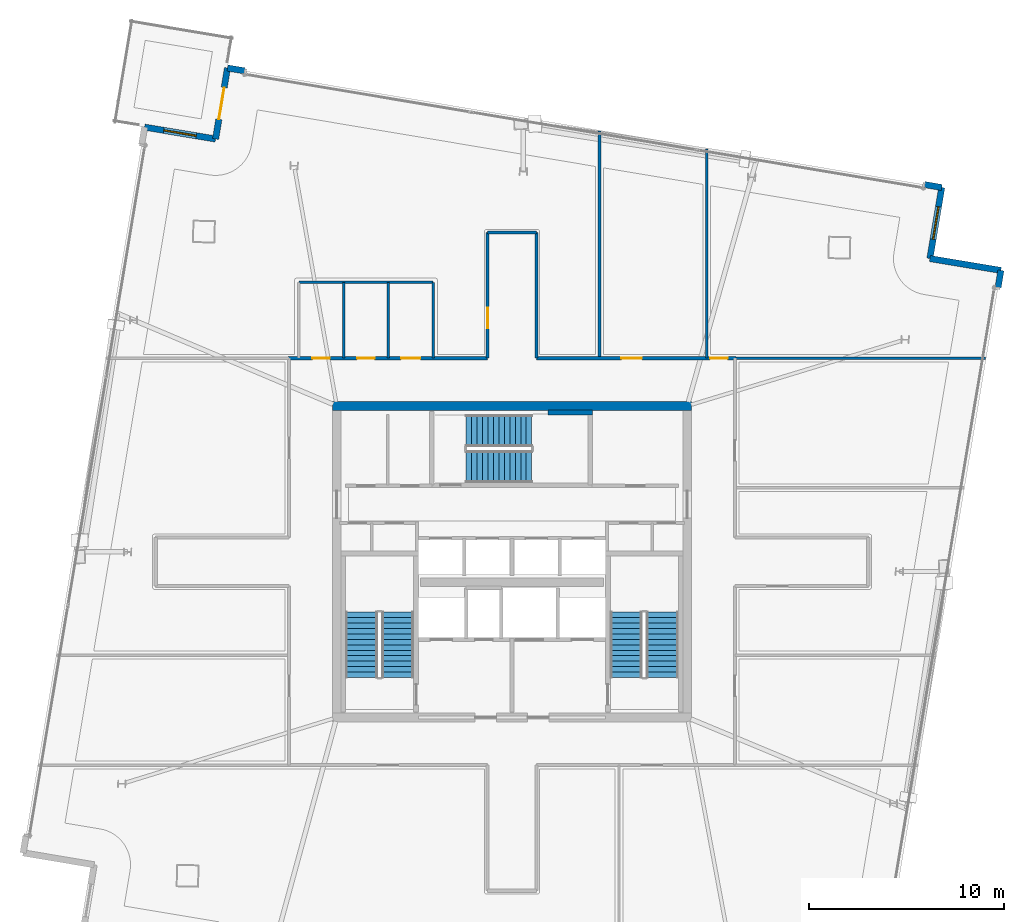
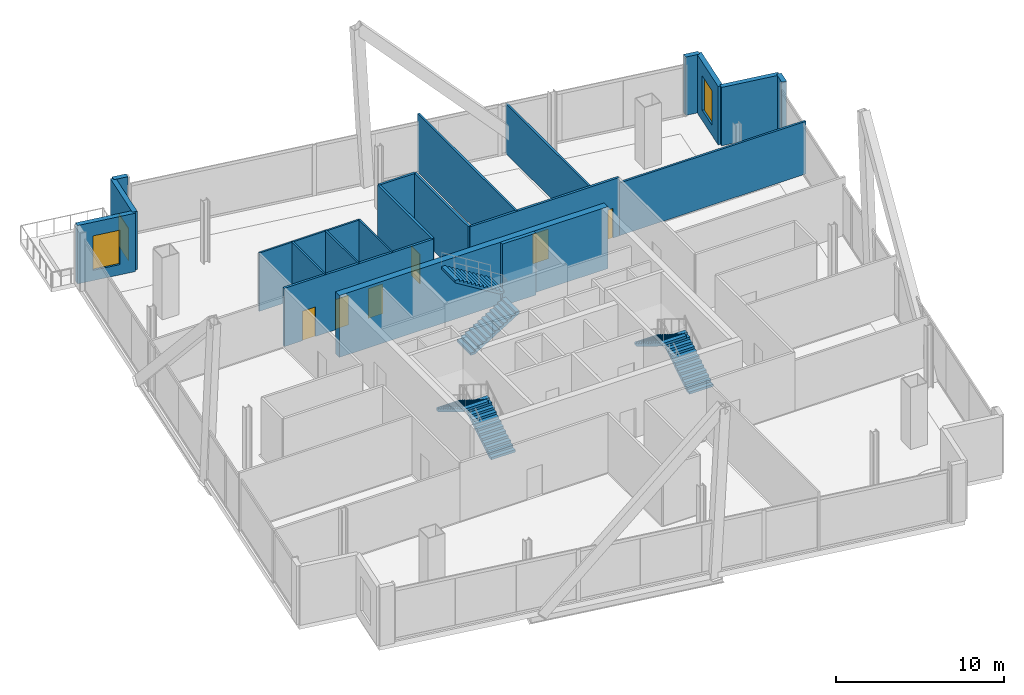
# One storey, part 15 of 18: 21 walls, 7 doors, 6 stair flights, 2 windows, 9 openings, 3 elements without a shape of their own.
"""IFC4 building model written with IfcOpenShell, lengths in metres."""

import ifcopenshell
import ifcopenshell.guid

model = None  # the IFC model being written
_history = None  # IfcOwnerHistory: only IFC2X3 demands one
_inside = {}  # id of a spatial element -> (the spatial element, [elements in it])
_under = {}  # id of a project, library or spatial element -> (it, [spatial elements below it])
_declared = {}  # id of a project -> (the project, [libraries it declares])
_typed = {}  # id of a type object -> (the type object, [elements of that type])
_made_of = {}  # id of a material, layer set ... -> (it, [elements and type objects made of it])


def new_model(schema):
    """Start an empty IFC model of exactly this schema.

    Asked for "IFC4X3", IfcOpenShell would pick the latest addendum, in which some entities
    have other attributes; the version numbers below select the first issue.
    IFC2X3 requires an IfcOwnerHistory on every rooted entity: one is made here for all.
    """
    global model, _history
    if schema == "IFC4X3":
        model = ifcopenshell.file(schema_version=(4, 3, 0, 0))
    else:
        model = ifcopenshell.file(schema=schema)
    _inside.clear()
    _under.clear()
    _declared.clear()
    _typed.clear()
    _made_of.clear()
    _history = None
    if model.schema == "IFC2X3":
        org = make("IfcOrganization", Name="unknown")
        user = make(
            "IfcPersonAndOrganization",
            ThePerson=make("IfcPerson", FamilyName="unknown"),
            TheOrganization=org,
        )
        app = make(
            "IfcApplication",
            ApplicationDeveloper=org,
            Version="unknown",
            ApplicationFullName="unknown",
            ApplicationIdentifier="unknown",
        )
        _history = make(
            "IfcOwnerHistory",
            OwningUser=user,
            OwningApplication=app,
            ChangeAction="ADDED",
            CreationDate=0,
        )
    return model


def make(cls, **values):
    """One entity of the class cls with the attributes given. An attribute that is None is left unset."""
    return model.create_entity(
        cls, **{name: value for name, value in values.items() if value is not None}
    )


def rooted(cls, **values):
    """An entity with a GlobalId (a new one), such as an element, a storey or a relation."""
    return make(cls, GlobalId=ifcopenshell.guid.new(), OwnerHistory=_history, **values)


def si_unit(unit_type, name, prefix=None):
    """IfcSIUnit, for example si_unit("LENGTHUNIT", "METRE", prefix="MILLI")."""
    return make("IfcSIUnit", UnitType=unit_type, Prefix=prefix, Name=name)


def assignment(units):
    """IfcUnitAssignment: the units of a project."""
    return None if units is None else make("IfcUnitAssignment", Units=units)


def point(xyz):
    """IfcCartesianPoint."""
    return None if xyz is None else make("IfcCartesianPoint", Coordinates=xyz)


def direction(xyz):
    """IfcDirection."""
    return None if xyz is None else make("IfcDirection", DirectionRatios=xyz)


def frame(location, z_axis=None, x_axis=None):
    """IfcAxis2Placement3D, a coordinate frame: its origin and axes. An axis left out is left unset."""
    return make(
        "IfcAxis2Placement3D",
        Location=point(location),
        Axis=direction(z_axis),
        RefDirection=direction(x_axis),
    )


def frame_2d(location, x_axis=None):
    """IfcAxis2Placement2D, a coordinate frame in the plane: its origin and x axis."""
    return make(
        "IfcAxis2Placement2D", Location=point(location), RefDirection=direction(x_axis)
    )


def origin():
    """The frame at (0, 0, 0) with its axes left unset."""
    return frame((0.0, 0.0, 0.0))


def place(relative_to, where):
    """IfcLocalPlacement: puts the frame where relative to a parent placement (None: the world)."""
    return make(
        "IfcLocalPlacement", PlacementRelTo=relative_to, RelativePlacement=where
    )


def context(
    kind, dimensions, precision=None, world=None, true_north=None, identifier=None
):
    """IfcGeometricRepresentationContext, for example the 3D "Model" context."""
    return make(
        "IfcGeometricRepresentationContext",
        ContextIdentifier=identifier,
        ContextType=kind,
        CoordinateSpaceDimension=dimensions,
        Precision=precision,
        WorldCoordinateSystem=world,
        TrueNorth=true_north,
    )


def subcontext(parent, identifier, kind, view, scale=None):
    """IfcGeometricRepresentationSubContext, for example "Body" below "Model"."""
    return make(
        "IfcGeometricRepresentationSubContext",
        ContextIdentifier=identifier,
        ContextType=kind,
        ParentContext=parent,
        TargetScale=scale,
        TargetView=view,
    )


def project(units=None, contexts=None):
    """IfcProject with its units and contexts."""
    return rooted(
        "IfcProject",
        Name="project",
        RepresentationContexts=contexts,
        UnitsInContext=assignment(units),
    )


def spatial(cls, under=None, at=None, **own):
    """A site, building, storey or space (cls), placed at a placement, below another one or the project."""
    s = rooted(cls, ObjectPlacement=at, **own)
    if under is not None:
        _under.setdefault(under.id(), (under, []))[1].append(s)
    return s


def polyline(points):
    """IfcPolyline through the points."""
    return make("IfcPolyline", Points=[point(p) for p in points])


def profile(cls, at=None, kind="AREA", **sizes):
    """A parametric profile (cls). Its sizes go by their IFC names, for example OverallWidth=200.0."""
    return make(cls, ProfileType=kind, Position=at, **sizes)


def rectangle(**sizes):
    """IfcRectangleProfileDef."""
    return profile("IfcRectangleProfileDef", **sizes)


def outline(outer, holes=None, kind="AREA"):
    """IfcArbitraryClosedProfileDef: a profile drawn as a closed curve; with holes, ...WithVoids."""
    if holes is None:
        return make("IfcArbitraryClosedProfileDef", ProfileType=kind, OuterCurve=outer)
    return make(
        "IfcArbitraryProfileDefWithVoids",
        ProfileType=kind,
        OuterCurve=outer,
        InnerCurves=holes,
    )


def extrude(swept, where, along, depth):
    """IfcExtrudedAreaSolid: the profile swept, set in the frame where, extruded along a direction by depth."""
    return make(
        "IfcExtrudedAreaSolid",
        SweptArea=swept,
        Position=where,
        ExtrudedDirection=direction(along),
        Depth=depth,
    )


def shape(context_of_items, identifier, shape_type, items):
    """IfcShapeRepresentation: the items that make up one representation, for example the "Body"."""
    return make(
        "IfcShapeRepresentation",
        ContextOfItems=context_of_items,
        RepresentationIdentifier=identifier,
        RepresentationType=shape_type,
        Items=items,
    )


def material(Name=None, Category=None):
    """IfcMaterial."""
    return make("IfcMaterial", Name=Name, Category=Category)


def layer(
    of_material, thickness, ventilated=None, Name=None, Category=None, Priority=None
):
    """IfcMaterialLayer: one layer of a wall or slab, of a material (None: an air gap)."""
    return make(
        "IfcMaterialLayer",
        Material=of_material,
        LayerThickness=thickness,
        IsVentilated=ventilated,
        Name=Name,
        Category=Category,
        Priority=Priority,
    )


def layer_set(layers, Name=None):
    """IfcMaterialLayerSet."""
    return make("IfcMaterialLayerSet", MaterialLayers=layers, LayerSetName=Name)


def made_of(thing, what):
    """Note that an element or type object is made of a material, layer set ...; save() writes the relation."""
    if what is not None:
        _made_of.setdefault(what.id(), (what, []))[1].append(thing)
    return thing


def type_object(cls, material=None, **own):
    """A type object (cls), such as IfcWallType, which elements share."""
    return made_of(rooted(cls, **own), material)


def element(
    cls,
    number,
    at=None,
    inside=None,
    cuts=None,
    type_object=None,
    material=None,
    context=None,
    identifier="Body",
    shape_type=None,
    held_by="IfcProductDefinitionShape",
    body=None,
    shapes=None,
    **own,
):
    """One element of the class cls, such as IfcWall. Its Tag is "e" and its number.

    at: its placement. inside: the storey or other place that contains it. cuts: it is an
    opening in that element (IfcRelVoidsElement). A single representation is given by context,
    identifier, shape_type and body (its items); several are given by shapes. held_by: the class
    of the entity that holds the representations. save() writes the other relations.
    """
    e = rooted(cls, Tag="e%d" % number, ObjectPlacement=at, **own)
    if body is not None:
        shapes = [shape(context, identifier, shape_type, body)]
    if shapes is not None:
        e.Representation = make(held_by, Representations=shapes)
    if inside is not None:
        _inside.setdefault(inside.id(), (inside, []))[1].append(e)
    if cuts is not None:
        rooted(
            "IfcRelVoidsElement", RelatingBuildingElement=cuts, RelatedOpeningElement=e
        )
    if type_object is not None:
        _typed.setdefault(type_object.id(), (type_object, []))[1].append(e)
    return made_of(e, material)


def fill(opening, filler):
    """IfcRelFillsElement: the door or window that sits in an opening."""
    return rooted(
        "IfcRelFillsElement",
        RelatingOpeningElement=opening,
        RelatedBuildingElement=filler,
    )


def aggregate(whole, parts):
    """IfcRelAggregates: a whole, such as a stair, and the parts it consists of."""
    return rooted("IfcRelAggregates", RelatingObject=whole, RelatedObjects=parts)


def save(model, path):
    """Write the relations noted so far, then the file.

    IfcRelAggregates (storeys below a building ...), IfcRelContainedInSpatialStructure (elements
    in a storey), IfcRelDefinesByType, IfcRelAssociatesMaterial and IfcRelDeclares: one each for
    every whole, place, type object, material and project.
    """
    for whole, parts in _under.values():
        aggregate(whole, parts)
    for where, things in _inside.values():
        rooted(
            "IfcRelContainedInSpatialStructure",
            RelatedElements=things,
            RelatingStructure=where,
        )
    for kind, things in _typed.values():
        rooted("IfcRelDefinesByType", RelatedObjects=things, RelatingType=kind)
    for what, things in _made_of.values():
        rooted("IfcRelAssociatesMaterial", RelatedObjects=things, RelatingMaterial=what)
    for by, libraries in _declared.values():
        rooted("IfcRelDeclares", RelatingContext=by, RelatedDefinitions=libraries)
    model.write(path)


model = new_model("IFC4")

# Units and contexts
model_context = context("Model", 3, precision=1e-05, world=origin(), true_north=direction((0.0, 1.0)))
body_context = subcontext(model_context, "Body", "Model", "MODEL_VIEW")
ifc_project = project(units=[si_unit("LENGTHUNIT", "METRE"), si_unit("AREAUNIT", "SQUARE_METRE"), si_unit("VOLUMEUNIT", "CUBIC_METRE"), si_unit("PLANEANGLEUNIT", "RADIAN"), si_unit("MASSUNIT", "GRAM", prefix="KILO")], contexts=[model_context])

# Site, building, storey
site_placement = place(None, origin())
site = spatial("IfcSite", under=ifc_project, at=site_placement, CompositionType="ELEMENT")
building_placement = place(site_placement, origin())
building = spatial("IfcBuilding", under=site, at=building_placement, Name="Haldenkirk Collegiate Tower", CompositionType="ELEMENT")
storey_placement = place(building_placement, frame((0.0, 0.0, 298.199951171875)))
storey = spatial("IfcBuildingStorey", under=building, at=storey_placement, Name="L75", CompositionType="ELEMENT", Elevation=298.199951171875)

# Walls
ifc_material_1 = material(Name="Concrete f'c 55 MPa", Category="concrete")
ifc_layer_1 = layer(ifc_material_1, 0.449951171875)
ifc_layer_set_1 = layer_set([ifc_layer_1], Name="Concrete f'c 55 MPa")
wall_type_1 = type_object("IfcWallType", Name="WL-CORE-450", PredefinedType="SHEAR", material=ifc_layer_set_1)
wall_1_placement = place(storey_placement, frame((26.77490234375, 34.0, 0.0), z_axis=(0.0, 0.0, 1.0), x_axis=(1.0, 0.0, 0.0)))
element("IfcWall", 1, at=wall_1_placement, inside=storey, type_object=wall_type_1, Name="L75 central core shear wall N", PredefinedType="SHEAR", context=body_context, shape_type="SweptSolid", body=[
    extrude(rectangle(XDim=18.4501953125, YDim=0.449951171875, at=frame_2d((9.22509765625, 0.0))), origin(), (0.0, 0.0, 1.0), 4.5),
])
ifc_material_2 = material(Name="Precast concrete f'c 40 MPa", Category="concrete")
ifc_layer_2 = layer(ifc_material_2, 0.320068359375)
ifc_layer_set_2 = layer_set([ifc_layer_2], Name="Precast concrete f'c 40 MPa")
wall_type_2 = type_object("IfcWallType", Name="WL-EXT-TWR-320", PredefinedType="STANDARD", material=ifc_layer_set_2)
wall_2_placement = place(storey_placement, frame((61.113525390625, 40.960205078125, 0.0), z_axis=(0.0, 0.0, 1.0), x_axis=(-0.164926823442, -0.98630580598, 0.0)))
element("IfcWall", 2, at=wall_2_placement, inside=storey, type_object=wall_type_2, Name="L75 precast corner pier SL", PredefinedType="STANDARD", context=body_context, shape_type="SweptSolid", body=[
    extrude(rectangle(XDim=0.89990234375, YDim=0.320068359375, at=frame_2d((0.449951171875, 0.0))), origin(), (0.0, 0.0, 1.0), 4.239990234375),
])
wall_3_placement = place(storey_placement, frame((57.46435546875, 41.57080078125, 0.0), z_axis=(0.0, 0.0, 1.0), x_axis=(0.986288501332, -0.165030276432, 0.0)))
element("IfcWall", 3, at=wall_3_placement, inside=storey, type_object=wall_type_2, Name="L75 bronze precast notch wall 02", PredefinedType="STANDARD", context=body_context, shape_type="SweptSolid", body=[
    extrude(rectangle(XDim=3.699951171875, YDim=0.320068359375, at=frame_2d((1.85009765625, 0.0))), origin(), (0.0, 0.0, 1.0), 4.239990234375),
])

# Wall, opening, window
wall_4_placement = place(storey_placement, frame((58.074951171875, 45.22021484375, 0.0), z_axis=(0.0, 0.0, 1.0), x_axis=(-0.165019536794, -0.986290298278, 0.0)))
wall_4 = element("IfcWall", 4, at=wall_4_placement, inside=storey, type_object=wall_type_2, Name="L75 bronze precast notch wall 03", PredefinedType="STANDARD", context=body_context, shape_type="SweptSolid", body=[
    extrude(rectangle(XDim=3.7001953125, YDim=0.320068359375, at=frame_2d((1.85009765625, 0.0))), origin(), (0.0, 0.0, 1.0), 4.239990234375),
])
opening_1_placement = place(wall_4_placement, frame((1.0, 0.0, 0.75)))
opening_1 = element("IfcOpeningElement", 5, at=opening_1_placement, cuts=wall_4, Name="Opening W-09", PredefinedType="OPENING", context=body_context, shape_type="SweptSolid", body=[
    extrude(rectangle(XDim=1.699951171875, YDim=2.5, at=frame_2d((0.85009765625, 1.25))), frame((0.0, 0.169921875, 0.0), z_axis=(0.0, -1.0, 0.0), x_axis=(1.0, 0.0, 0.0)), (0.0, 0.0, 1.0), 0.340087890625),
])
ifc_material_3 = material(Name="Low-E argon triple insulating glass", Category="glass")
ifc_layer_3 = layer(ifc_material_3, 0.090087890625)
ifc_layer_set_3 = layer_set([ifc_layer_3], Name="Low-E argon triple insulating glass")
window_type = type_object("IfcWindowType", Name="WN-SG-1700X2500", PartitioningType="SINGLE_PANEL", PredefinedType="WINDOW", material=ifc_layer_set_3)
window_1_placement = place(opening_1_placement, origin())
window_1 = element("IfcWindow", 6, at=window_1_placement, inside=storey, type_object=window_type, Name="L75 precast-frame academic window 2", OverallHeight=2.5, OverallWidth=1.699951171875, PartitioningType="SINGLE_PANEL", PredefinedType="WINDOW", context=body_context, shape_type="SweptSolid", body=[
    extrude(rectangle(XDim=1.699951171875, YDim=2.5, at=frame_2d((0.85009765625, 1.25))), frame((0.0, 0.030029296875, 0.0), z_axis=(0.0, -1.0, 0.0), x_axis=(1.0, 0.0, 0.0)), (0.0, 0.0, 1.0), 0.06005859375),
])
fill(opening_1, window_1)

# Walls
for number, where, z_axis, x_axis, name in (
    (7, (21.38525390625, 51.35986328125, 0.0), (0.0, 0.0, 1.0), (0.98630580598, -0.164926823442, 0.0), "L75 precast corner pier EL"),
    (8, (57.187255859375, 45.36865234375, 0.0), (0.0, 0.0, 1.0), (0.98630580598, -0.164926823442, 0.0), "L75 precast corner pier ER"),
):
    element("IfcWall", number, at=place(storey_placement, frame(where, z_axis=z_axis, x_axis=x_axis)), inside=storey, type_object=wall_type_2, Name=name, PredefinedType="STANDARD", context=body_context, shape_type="SweptSolid", body=[
        extrude(rectangle(XDim=0.89990234375, YDim=0.320068359375, at=frame_2d((0.449951171875, 0.0))), origin(), (0.0, 0.0, 1.0), 4.239990234375),
    ])

# Wall, opening, door
wall_5_placement = place(storey_placement, frame((20.7744140625, 47.710693359375, 0.0), z_axis=(0.0, 0.0, 1.0), x_axis=(0.165094463979, 0.986277759033, 0.0)))
wall_5 = element("IfcWall", 9, at=wall_5_placement, inside=storey, type_object=wall_type_2, Name="L75 bronze precast notch wall 05", PredefinedType="STANDARD", context=body_context, shape_type="SweptSolid", body=[
    extrude(rectangle(XDim=3.699951171875, YDim=0.320068359375, at=frame_2d((1.85009765625, 0.0))), origin(), (0.0, 0.0, 1.0), 4.239990234375),
])
opening_2_placement = place(wall_5_placement, frame((1.02490234375, 0.0, 0.0)))
opening_2 = element("IfcOpeningElement", 10, at=opening_2_placement, cuts=wall_5, Name="Opening D-SG16", PredefinedType="OPENING", context=body_context, shape_type="SweptSolid", body=[
    extrude(rectangle(XDim=1.64990234375, YDim=2.35009765625, at=frame_2d((0.824951171875, 1.175048828125))), frame((0.0, 0.169921875, 0.0), z_axis=(0.0, -1.0, 0.0), x_axis=(1.0, 0.0, 0.0)), (0.0, 0.0, 1.0), 0.340087890625),
])
ifc_material_4 = material(Name="Anodised architectural bronze aluminium", Category="aluminium")
ifc_layer_4 = layer(ifc_material_4, 0.080078125)
ifc_layer_set_4 = layer_set([ifc_layer_4], Name="Anodised architectural bronze aluminium")
door_type_1 = type_object("IfcDoorType", Name="DR-EXT-SGAR-1650", OperationType="NOTDEFINED", PredefinedType="DOOR", material=ifc_layer_set_4)
door_1_placement = place(opening_2_placement, origin())
door_1 = element("IfcDoor", 11, at=door_1_placement, inside=storey, type_object=door_type_1, Name="L75 sky-garden door", OperationType="DOUBLE_DOOR_SINGLE_SWING", OverallHeight=2.35009765625, OverallWidth=1.64990234375, PredefinedType="DOOR", context=body_context, shape_type="SweptSolid", body=[
    extrude(rectangle(XDim=1.64990234375, YDim=2.35009765625, at=frame_2d((0.824951171875, 1.175048828125))), frame((0.0, 0.02490234375, 0.0), z_axis=(0.0, -1.0, 0.0), x_axis=(1.0, 0.0, 0.0)), (0.0, 0.0, 1.0), 0.050048828125),
])
fill(opening_2, door_1)

# Wall, opening, window
wall_6_placement = place(storey_placement, frame((17.125244140625, 48.3212890625, 0.0), z_axis=(0.0, 0.0, 1.0), x_axis=(0.986288501332, -0.165030276432, 0.0)))
wall_6 = element("IfcWall", 12, at=wall_6_placement, inside=storey, type_object=wall_type_2, Name="L75 bronze precast notch wall 06", PredefinedType="STANDARD", context=body_context, shape_type="SweptSolid", body=[
    extrude(rectangle(XDim=3.699951171875, YDim=0.320068359375, at=frame_2d((1.85009765625, 0.0))), origin(), (0.0, 0.0, 1.0), 4.239990234375),
])
opening_3_placement = place(wall_6_placement, frame((1.0, 0.0, 0.75)))
opening_3 = element("IfcOpeningElement", 13, at=opening_3_placement, cuts=wall_6, Name="Opening W-09", PredefinedType="OPENING", context=body_context, shape_type="SweptSolid", body=[
    extrude(rectangle(XDim=1.699951171875, YDim=2.5, at=frame_2d((0.85009765625, 1.25))), frame((0.0, 0.169921875, 0.0), z_axis=(0.0, -1.0, 0.0), x_axis=(1.0, 0.0, 0.0)), (0.0, 0.0, 1.0), 0.340087890625),
])
window_2_placement = place(opening_3_placement, origin())
window_2 = element("IfcWindow", 14, at=window_2_placement, inside=storey, type_object=window_type, Name="L75 precast-frame academic window 5", OverallHeight=2.5, OverallWidth=1.699951171875, PartitioningType="SINGLE_PANEL", PredefinedType="WINDOW", context=body_context, shape_type="SweptSolid", body=[
    extrude(rectangle(XDim=1.699951171875, YDim=2.5, at=frame_2d((0.85009765625, 1.25))), frame((0.0, 0.030029296875, 0.0), z_axis=(0.0, -1.0, 0.0), x_axis=(1.0, 0.0, 0.0)), (0.0, 0.0, 1.0), 0.06005859375),
])
fill(opening_3, window_2)

# Wall, openings, doors
ifc_material_5 = material(Name="Acoustic fire-rated gypsum partition", Category="concrete")
ifc_layer_5 = layer(ifc_material_5, 0.159912109375)
ifc_layer_set_5 = layer_set([ifc_layer_5], Name="Acoustic fire-rated gypsum partition")
wall_type_3 = type_object("IfcWallType", Name="WL-INT-CORR-160", PredefinedType="PARTITIONING", material=ifc_layer_set_5)
wall_7_placement = place(storey_placement, frame((24.5, 36.449951171875, 0.0), z_axis=(0.0, 0.0, 1.0), x_axis=(1.0, 0.0, 0.0)))
wall_7 = element("IfcWall", 15, at=wall_7_placement, inside=storey, type_object=wall_type_3, Name="L75 interior partition IW-L75-CN1", PredefinedType="PARTITIONING", context=body_context, shape_type="SweptSolid", body=[
    extrude(rectangle(XDim=10.25, YDim=0.159912109375, at=frame_2d((5.125, 0.0))), origin(), (0.0, 0.0, 1.0), 4.239990234375),
])
opening_4_placement = place(wall_7_placement, frame((1.25, 0.0, 0.0)))
opening_4 = element("IfcOpeningElement", 16, at=opening_4_placement, cuts=wall_7, Name="Opening D-13", PredefinedType="OPENING", context=body_context, shape_type="SweptSolid", body=[
    extrude(rectangle(XDim=0.89990234375, YDim=2.14990234375, at=frame_2d((0.449951171875, 1.074951171875))), frame((0.0, 0.08984375, 0.0), z_axis=(0.0, -1.0, 0.0), x_axis=(1.0, 0.0, 0.0)), (0.0, 0.0, 1.0), 0.179931640625),
])
opening_5_placement = place(wall_7_placement, frame((3.550048828125, 0.0, 0.0)))
opening_5 = element("IfcOpeningElement", 17, at=opening_5_placement, cuts=wall_7, Name="Opening D-13", PredefinedType="OPENING", context=body_context, shape_type="SweptSolid", body=[
    extrude(rectangle(XDim=0.89990234375, YDim=2.14990234375, at=frame_2d((0.449951171875, 1.074951171875))), frame((0.0, 0.08984375, 0.0), z_axis=(0.0, -1.0, 0.0), x_axis=(1.0, 0.0, 0.0)), (0.0, 0.0, 1.0), 0.179931640625),
])
opening_6_placement = place(wall_7_placement, frame((5.800048828125, 0.0, 0.0)))
opening_6 = element("IfcOpeningElement", 18, at=opening_6_placement, cuts=wall_7, Name="Opening D-14", PredefinedType="OPENING", context=body_context, shape_type="SweptSolid", body=[
    extrude(rectangle(XDim=1.0, YDim=2.14990234375, at=frame_2d((0.5, 1.074951171875))), frame((0.0, 0.08984375, 0.0), z_axis=(0.0, -1.0, 0.0), x_axis=(1.0, 0.0, 0.0)), (0.0, 0.0, 1.0), 0.179931640625),
])
ifc_material_6 = material(Name="Solid-core architectural oak fire door", Category="wood")
ifc_layer_6 = layer(ifc_material_6, 0.06005859375)
ifc_layer_set_6 = layer_set([ifc_layer_6], Name="Solid-core architectural oak fire door")
door_type_2 = type_object("IfcDoorType", Name="DR-INT-ACC-1000", OperationType="NOTDEFINED", PredefinedType="DOOR", material=ifc_layer_set_6)
door_2_placement = place(opening_6_placement, origin())
door_2 = element("IfcDoor", 19, at=door_2_placement, inside=storey, type_object=door_type_2, Name="L75 Accessible WC door", OperationType="SINGLE_SWING_LEFT", OverallHeight=2.14990234375, OverallWidth=1.0, PredefinedType="DOOR", context=body_context, shape_type="SweptSolid", body=[
    extrude(rectangle(XDim=1.0, YDim=2.14990234375, at=frame_2d((0.5, 1.074951171875))), frame((0.0, 0.02490234375, 0.0), z_axis=(0.0, -1.0, 0.0), x_axis=(1.0, 0.0, 0.0)), (0.0, 0.0, 1.0), 0.050048828125),
])
fill(opening_6, door_2)
ifc_layer_7 = layer(ifc_material_6, 0.06005859375)
ifc_layer_set_7 = layer_set([ifc_layer_7], Name="Solid-core architectural oak fire door")
door_type_3 = type_object("IfcDoorType", Name="DR-INT-STD-900", OperationType="NOTDEFINED", PredefinedType="DOOR", material=ifc_layer_set_7)
door_3_placement = place(opening_4_placement, origin())
door_3 = element("IfcDoor", 20, at=door_3_placement, inside=storey, type_object=door_type_3, Name="L75 Male WC door", OperationType="SINGLE_SWING_LEFT", OverallHeight=2.14990234375, OverallWidth=0.89990234375, PredefinedType="DOOR", context=body_context, shape_type="SweptSolid", body=[
    extrude(rectangle(XDim=0.89990234375, YDim=2.14990234375, at=frame_2d((0.449951171875, 1.074951171875))), frame((0.0, 0.02490234375, 0.0), z_axis=(0.0, -1.0, 0.0), x_axis=(1.0, 0.0, 0.0)), (0.0, 0.0, 1.0), 0.050048828125),
])
fill(opening_4, door_3)
door_4_placement = place(opening_5_placement, origin())
door_4 = element("IfcDoor", 21, at=door_4_placement, inside=storey, type_object=door_type_3, Name="L75 Female WC door", OperationType="SINGLE_SWING_RIGHT", OverallHeight=2.14990234375, OverallWidth=0.89990234375, PredefinedType="DOOR", context=body_context, shape_type="SweptSolid", body=[
    extrude(rectangle(XDim=0.89990234375, YDim=2.14990234375, at=frame_2d((0.449951171875, 1.074951171875))), frame((0.0, 0.02490234375, 0.0), z_axis=(0.0, -1.0, 0.0), x_axis=(1.0, 0.0, 0.0)), (0.0, 0.0, 1.0), 0.050048828125),
])
fill(opening_5, door_4)

wall_8_placement = place(storey_placement, frame((37.25, 36.449951171875, 0.0), z_axis=(0.0, 0.0, 1.0), x_axis=(1.0, 0.0, 0.0)))
wall_8 = element("IfcWall", 22, at=wall_8_placement, inside=storey, type_object=wall_type_3, Name="L75 interior partition IW-L75-CN2", PredefinedType="PARTITIONING", context=body_context, shape_type="SweptSolid", body=[
    extrude(rectangle(XDim=10.25, YDim=0.159912109375, at=frame_2d((5.125, 0.0))), origin(), (0.0, 0.0, 1.0), 4.239990234375),
])
opening_7_placement = place(wall_8_placement, frame((4.364990234375, 0.0, 0.0)))
opening_7 = element("IfcOpeningElement", 23, at=opening_7_placement, cuts=wall_8, Name="Opening D-09", PredefinedType="OPENING", context=body_context, shape_type="SweptSolid", body=[
    extrude(rectangle(XDim=1.050048828125, YDim=2.14990234375, at=frame_2d((0.52490234375, 1.074951171875))), frame((0.0, 0.08984375, 0.0), z_axis=(0.0, -1.0, 0.0), x_axis=(1.0, 0.0, 0.0)), (0.0, 0.0, 1.0), 0.179931640625),
])
opening_8_placement = place(wall_8_placement, frame((8.925048828125, 0.0, 0.0)))
opening_8 = element("IfcOpeningElement", 24, at=opening_8_placement, cuts=wall_8, Name="Opening D-11", PredefinedType="OPENING", context=body_context, shape_type="SweptSolid", body=[
    extrude(rectangle(XDim=0.89990234375, YDim=2.14990234375, at=frame_2d((0.449951171875, 1.074951171875))), frame((0.0, 0.08984375, 0.0), z_axis=(0.0, -1.0, 0.0), x_axis=(1.0, 0.0, 0.0)), (0.0, 0.0, 1.0), 0.179931640625),
])
ifc_layer_8 = layer(ifc_material_6, 0.06005859375)
ifc_layer_set_8 = layer_set([ifc_layer_8], Name="Solid-core architectural oak fire door")
door_type_4 = type_object("IfcDoorType", Name="DR-INT-FD60-1050", OperationType="NOTDEFINED", PredefinedType="DOOR", material=ifc_layer_set_8)
door_5_placement = place(opening_7_placement, origin())
door_5 = element("IfcDoor", 25, at=door_5_placement, inside=storey, type_object=door_type_4, Name="L75 Architectural Crit Studio 4 door", OperationType="SINGLE_SWING_LEFT", OverallHeight=2.14990234375, OverallWidth=1.050048828125, PredefinedType="DOOR", context=body_context, shape_type="SweptSolid", body=[
    extrude(rectangle(XDim=1.050048828125, YDim=2.14990234375, at=frame_2d((0.52490234375, 1.074951171875))), frame((0.0, 0.02490234375, 0.0), z_axis=(0.0, -1.0, 0.0), x_axis=(1.0, 0.0, 0.0)), (0.0, 0.0, 1.0), 0.050048828125),
])
fill(opening_7, door_5)
ifc_layer_9 = layer(ifc_material_6, 0.06005859375)
ifc_layer_set_9 = layer_set([ifc_layer_9], Name="Solid-core architectural oak fire door")
door_type_5 = type_object("IfcDoorType", Name="DR-INT-FD60-900", OperationType="NOTDEFINED", PredefinedType="DOOR", material=ifc_layer_set_9)
door_6_placement = place(opening_8_placement, origin())
door_6 = element("IfcDoor", 26, at=door_6_placement, inside=storey, type_object=door_type_5, Name="L75 Urbanism Pin-Up Studio 5 door", OperationType="SINGLE_SWING_RIGHT", OverallHeight=2.14990234375, OverallWidth=0.89990234375, PredefinedType="DOOR", context=body_context, shape_type="SweptSolid", body=[
    extrude(rectangle(XDim=0.89990234375, YDim=2.14990234375, at=frame_2d((0.449951171875, 1.074951171875))), frame((0.0, 0.02490234375, 0.0), z_axis=(0.0, -1.0, 0.0), x_axis=(1.0, 0.0, 0.0)), (0.0, 0.0, 1.0), 0.050048828125),
])
fill(opening_8, door_6)

# Wall, opening, door
wall_9_placement = place(storey_placement, frame((34.75, 36.449951171875, 0.0), z_axis=(0.0, 0.0, 1.0), x_axis=(0.0, 1.0, 0.0)))
wall_9 = element("IfcWall", 27, at=wall_9_placement, inside=storey, type_object=wall_type_3, Name="L75 interior partition IW-L75-NPW", PredefinedType="PARTITIONING", context=body_context, shape_type="SweptSolid", body=[
    extrude(rectangle(XDim=6.449951171875, YDim=0.159912109375, at=frame_2d((3.22509765625, 0.0))), origin(), (0.0, 0.0, 1.0), 4.239990234375),
])
opening_9_placement = place(wall_9_placement, frame((1.5390625, 0.0, 0.0)))
opening_9 = element("IfcOpeningElement", 28, at=opening_9_placement, cuts=wall_9, Name="Opening D-09", PredefinedType="OPENING", context=body_context, shape_type="SweptSolid", body=[
    extrude(rectangle(XDim=1.050048828125, YDim=2.14990234375, at=frame_2d((0.52490234375, 1.074951171875))), frame((0.0, 0.08984375, 0.0), z_axis=(0.0, -1.0, 0.0), x_axis=(1.0, 0.0, 0.0)), (0.0, 0.0, 1.0), 0.179931640625),
])
door_7_placement = place(opening_9_placement, origin())
door_7 = element("IfcDoor", 29, at=door_7_placement, inside=storey, type_object=door_type_4, Name="L75 Collegiate Supply Shop 3 door", OperationType="SINGLE_SWING_RIGHT", OverallHeight=2.14990234375, OverallWidth=1.050048828125, PredefinedType="DOOR", context=body_context, shape_type="SweptSolid", body=[
    extrude(rectangle(XDim=1.050048828125, YDim=2.14990234375, at=frame_2d((0.52490234375, 1.074951171875))), frame((0.0, 0.02490234375, 0.0), z_axis=(0.0, -1.0, 0.0), x_axis=(1.0, 0.0, 0.0)), (0.0, 0.0, 1.0), 0.050048828125),
])
fill(opening_9, door_7)

# Walls
wall_10_placement = place(storey_placement, frame((37.25, 36.449951171875, 0.0), z_axis=(0.0, 0.0, 1.0), x_axis=(0.0, 1.0, 0.0)))
element("IfcWall", 30, at=wall_10_placement, inside=storey, type_object=wall_type_3, Name="L75 interior partition IW-L75-NPE", PredefinedType="PARTITIONING", context=body_context, shape_type="SweptSolid", body=[
    extrude(rectangle(XDim=6.449951171875, YDim=0.159912109375, at=frame_2d((3.22509765625, 0.0))), origin(), (0.0, 0.0, 1.0), 4.239990234375),
])
wall_11_placement = place(storey_placement, frame((34.75, 42.89990234375, 0.0), z_axis=(0.0, 0.0, 1.0), x_axis=(1.0, 0.0, 0.0)))
element("IfcWall", 31, at=wall_11_placement, inside=storey, type_object=wall_type_3, Name="L75 interior partition IW-L75-NPN", PredefinedType="PARTITIONING", context=body_context, shape_type="SweptSolid", body=[
    extrude(rectangle(XDim=2.5, YDim=0.159912109375, at=frame_2d((1.25, 0.0))), origin(), (0.0, 0.0, 1.0), 4.239990234375),
])
ifc_layer_10 = layer(ifc_material_5, 0.139892578125)
ifc_layer_set_10 = layer_set([ifc_layer_10], Name="Acoustic fire-rated gypsum partition")
wall_type_4 = type_object("IfcWallType", Name="WL-INT-DIV-140", PredefinedType="PARTITIONING", material=ifc_layer_set_10)
wall_12_placement = place(storey_placement, frame((47.449951171875, 36.449951171875, 0.0), z_axis=(0.0, 0.0, 1.0), x_axis=(1.0, 0.0, 0.0)))
element("IfcWall", 32, at=wall_12_placement, inside=storey, type_object=wall_type_4, Name="L75 interior partition IW-L75-BEN", PredefinedType="PARTITIONING", context=body_context, shape_type="SweptSolid", body=[
    extrude(rectangle(XDim=12.868408203125, YDim=0.139892578125, at=frame_2d((6.43408203125, 0.0))), origin(), (0.0, 0.0, 1.0), 3.8291015625),
])
wall_13_placement = place(storey_placement, frame((40.5, 36.449951171875, 0.0), z_axis=(0.0, 0.0, 1.0), x_axis=(0.0, 1.0, 0.0)))
element("IfcWall", 33, at=wall_13_placement, inside=storey, type_object=wall_type_4, Name="L75 interior partition IW-L75-RN1", PredefinedType="PARTITIONING", context=body_context, shape_type="SweptSolid", body=[
    extrude(rectangle(XDim=11.670654296875, YDim=0.139892578125, at=frame_2d((5.83544921875, 0.0))), origin(), (0.0, 0.0, 1.0), 4.239990234375),
])
wall_14_placement = place(storey_placement, frame((46.0, 36.449951171875, 0.0), z_axis=(0.0, 0.0, 1.0), x_axis=(0.0, 1.0, 0.0)))
element("IfcWall", 34, at=wall_14_placement, inside=storey, type_object=wall_type_4, Name="L75 interior partition IW-L75-RN2", PredefinedType="PARTITIONING", context=body_context, shape_type="SweptSolid", body=[
    extrude(rectangle(XDim=10.750244140625, YDim=0.139892578125, at=frame_2d((5.375, 0.0))), origin(), (0.0, 0.0, 1.0), 3.6181640625),
])
ifc_layer_11 = layer(ifc_material_5, 0.1201171875)
ifc_layer_set_11 = layer_set([ifc_layer_11], Name="Acoustic fire-rated gypsum partition")
wall_type_5 = type_object("IfcWallType", Name="WL-INT-WET-120", PredefinedType="PARTITIONING", material=ifc_layer_set_11)
for number, where, z_axis, x_axis, name in (
    (35, (27.35009765625, 36.449951171875, 0.0), (0.0, 0.0, 1.0), (0.0, 1.0, 0.0), "L75 interior partition IW-L75-WC1"),
    (36, (29.64990234375, 36.449951171875, 0.0), (0.0, 0.0, 1.0), (0.0, 1.0, 0.0), "L75 interior partition IW-L75-WC2"),
    (37, (31.949951171875, 36.449951171875, 0.0), (0.0, 0.0, 1.0), (0.0, 1.0, 0.0), "L75 interior partition IW-L75-WCE"),
):
    element("IfcWall", number, at=place(storey_placement, frame(where, z_axis=z_axis, x_axis=x_axis)), inside=storey, type_object=wall_type_5, Name=name, PredefinedType="PARTITIONING", context=body_context, shape_type="SweptSolid", body=[
        extrude(rectangle(XDim=3.900146484375, YDim=0.1201171875, at=frame_2d((1.9501953125, 0.0))), origin(), (0.0, 0.0, 1.0), 4.239990234375),
    ])
wall_15_placement = place(storey_placement, frame((25.050048828125, 40.35009765625, 0.0), z_axis=(0.0, 0.0, 1.0), x_axis=(1.0, 0.0, 0.0)))
element("IfcWall", 38, at=wall_15_placement, inside=storey, type_object=wall_type_5, Name="L75 interior partition IW-L75-WCB", PredefinedType="PARTITIONING", context=body_context, shape_type="SweptSolid", body=[
    extrude(rectangle(XDim=6.89990234375, YDim=0.1201171875, at=frame_2d((3.449951171875, 0.0))), origin(), (0.0, 0.0, 1.0), 4.239990234375),
])
ifc_layer_12 = layer(ifc_material_1, 0.239990234375)
ifc_layer_set_12 = layer_set([ifc_layer_12], Name="Concrete f'c 55 MPa")
wall_type_6 = type_object("IfcWallType", Name="WL-SHAFT-240", PredefinedType="SHEAR", material=ifc_layer_set_12)
wall_16_placement = place(storey_placement, frame((37.85009765625, 33.659912109375, 0.0), z_axis=(0.0, 0.0, 1.0), x_axis=(1.0, 0.0, 0.0)))
element("IfcWall", 39, at=wall_16_placement, inside=storey, type_object=wall_type_6, Name="L75 stair shaft shear wall SW-L75-ST3N", PredefinedType="SHEAR", context=body_context, shape_type="SweptSolid", body=[
    extrude(rectangle(XDim=2.289794921875, YDim=0.239990234375, at=frame_2d((1.14501953125, 0.0))), origin(), (0.0, 0.0, 1.0), 4.5),
])

# Stair, stair flights
ifc_material_7 = material(Name="Concrete f'c 40 MPa", Category="concrete")
stair_type = type_object("IfcStairType", Name="STR-DOGLEG-1650", PredefinedType="HALF_TURN_STAIR", material=ifc_material_7)
stair_1_placement = place(storey_placement, origin())
stair_1 = element("IfcStair", 40, at=stair_1_placement, inside=storey, type_object=stair_type, Name="L75 Core Exit Stair ST-1", PredefinedType="HALF_TURN_STAIR")
stair_flight_type = type_object("IfcStairFlightType", Name="STF-FLIGHT-1650", PredefinedType="STRAIGHT", material=ifc_material_7)
stair_flight_1_placement = place(storey_placement, frame((30.125, 20.050048828125, 0.0), z_axis=(0.0, 0.0, 1.0), x_axis=(0.0, 1.0, 0.0)))
stair_flight_1 = element("IfcStairFlight", 41, at=stair_flight_1_placement, type_object=stair_flight_type, Name="ST-1 flight 1", NumberOfRisers=13, NumberOfTreads=12, PredefinedType="STRAIGHT", RiserHeight=0.173076923, TreadLength=0.28, context=body_context, shape_type="SweptSolid", body=[
    extrude(outline(polyline([(0.0, 0.0), (0.0, 0.173095703125), (0.280029296875, 0.173095703125), (0.280029296875, 0.34619140625), (0.56005859375, 0.34619140625), (0.56005859375, 0.519287109375), (0.840087890625, 0.519287109375), (0.840087890625, 0.6923828125), (1.1201171875, 0.6923828125), (1.1201171875, 0.865478515625), (1.39990234375, 0.865478515625), (1.39990234375, 1.03857421875), (1.679931640625, 1.03857421875), (1.679931640625, 1.21142578125), (1.9599609375, 1.21142578125), (1.9599609375, 1.384521484375), (2.239990234375, 1.384521484375), (2.239990234375, 1.5576171875), (2.52001953125, 1.5576171875), (2.52001953125, 1.730712890625), (2.800048828125, 1.730712890625), (2.800048828125, 1.90380859375), (3.080078125, 1.90380859375), (3.080078125, 2.076904296875), (3.360107421875, 2.076904296875), (3.360107421875, 2.25), (3.360107421875, 1.900634765625), (0.28515625, 0.0), (0.0, 0.0)])), frame((0.0, 0.824951171875, 0.0), z_axis=(0.0, -1.0, 0.0), x_axis=(1.0, 0.0, 0.0)), (0.0, 0.0, 1.0), 1.64990234375),
])
stair_flight_2_placement = place(storey_placement, frame((28.27490234375, 23.409912109375, 2.25), z_axis=(0.0, 0.0, 1.0), x_axis=(0.0, -1.0, 0.0)))
stair_flight_2 = element("IfcStairFlight", 42, at=stair_flight_2_placement, type_object=stair_flight_type, Name="ST-1 flight 2", NumberOfRisers=13, NumberOfTreads=12, PredefinedType="STRAIGHT", RiserHeight=0.173076923, TreadLength=0.28, context=body_context, shape_type="SweptSolid", body=[
    extrude(outline(polyline([(0.0, 0.0), (0.0, 0.173095703125), (0.280029296875, 0.173095703125), (0.280029296875, 0.34619140625), (0.56005859375, 0.34619140625), (0.56005859375, 0.519287109375), (0.840087890625, 0.519287109375), (0.840087890625, 0.6923828125), (1.1201171875, 0.6923828125), (1.1201171875, 0.865478515625), (1.39990234375, 0.865478515625), (1.39990234375, 1.03857421875), (1.679931640625, 1.03857421875), (1.679931640625, 1.21142578125), (1.9599609375, 1.21142578125), (1.9599609375, 1.384521484375), (2.239990234375, 1.384521484375), (2.239990234375, 1.5576171875), (2.52001953125, 1.5576171875), (2.52001953125, 1.730712890625), (2.800048828125, 1.730712890625), (2.800048828125, 1.90380859375), (3.080078125, 1.90380859375), (3.080078125, 2.076904296875), (3.360107421875, 2.076904296875), (3.360107421875, 2.25), (3.360107421875, 1.900634765625), (0.28515625, 0.0), (0.0, 0.0)])), frame((0.0, 0.824951171875, 0.0), z_axis=(0.0, -1.0, 0.0), x_axis=(1.0, 0.0, 0.0)), (0.0, 0.0, 1.0), 1.64990234375),
])
aggregate(stair_1, [stair_flight_1, stair_flight_2])

stair_2_placement = place(storey_placement, origin())
stair_2 = element("IfcStair", 43, at=stair_2_placement, inside=storey, type_object=stair_type, Name="L75 Core Exit Stair ST-2", PredefinedType="HALF_TURN_STAIR")
stair_flight_3_placement = place(storey_placement, frame((43.72509765625, 20.050048828125, 0.0), z_axis=(0.0, 0.0, 1.0), x_axis=(0.0, 1.0, 0.0)))
stair_flight_3 = element("IfcStairFlight", 44, at=stair_flight_3_placement, type_object=stair_flight_type, Name="ST-2 flight 1", NumberOfRisers=13, NumberOfTreads=12, PredefinedType="STRAIGHT", RiserHeight=0.173076923, TreadLength=0.28, context=body_context, shape_type="SweptSolid", body=[
    extrude(outline(polyline([(0.0, 0.0), (0.0, 0.173095703125), (0.280029296875, 0.173095703125), (0.280029296875, 0.34619140625), (0.56005859375, 0.34619140625), (0.56005859375, 0.519287109375), (0.840087890625, 0.519287109375), (0.840087890625, 0.6923828125), (1.1201171875, 0.6923828125), (1.1201171875, 0.865478515625), (1.39990234375, 0.865478515625), (1.39990234375, 1.03857421875), (1.679931640625, 1.03857421875), (1.679931640625, 1.21142578125), (1.9599609375, 1.21142578125), (1.9599609375, 1.384521484375), (2.239990234375, 1.384521484375), (2.239990234375, 1.5576171875), (2.52001953125, 1.5576171875), (2.52001953125, 1.730712890625), (2.800048828125, 1.730712890625), (2.800048828125, 1.90380859375), (3.080078125, 1.90380859375), (3.080078125, 2.076904296875), (3.360107421875, 2.076904296875), (3.360107421875, 2.25), (3.360107421875, 1.900634765625), (0.28515625, 0.0), (0.0, 0.0)])), frame((0.0, 0.824951171875, 0.0), z_axis=(0.0, -1.0, 0.0), x_axis=(1.0, 0.0, 0.0)), (0.0, 0.0, 1.0), 1.64990234375),
])
stair_flight_4_placement = place(storey_placement, frame((41.875, 23.409912109375, 2.25), z_axis=(0.0, 0.0, 1.0), x_axis=(0.0, -1.0, 0.0)))
stair_flight_4 = element("IfcStairFlight", 45, at=stair_flight_4_placement, type_object=stair_flight_type, Name="ST-2 flight 2", NumberOfRisers=13, NumberOfTreads=12, PredefinedType="STRAIGHT", RiserHeight=0.173076923, TreadLength=0.28, context=body_context, shape_type="SweptSolid", body=[
    extrude(outline(polyline([(0.0, 0.0), (0.0, 0.173095703125), (0.280029296875, 0.173095703125), (0.280029296875, 0.34619140625), (0.56005859375, 0.34619140625), (0.56005859375, 0.519287109375), (0.840087890625, 0.519287109375), (0.840087890625, 0.6923828125), (1.1201171875, 0.6923828125), (1.1201171875, 0.865478515625), (1.39990234375, 0.865478515625), (1.39990234375, 1.03857421875), (1.679931640625, 1.03857421875), (1.679931640625, 1.21142578125), (1.9599609375, 1.21142578125), (1.9599609375, 1.384521484375), (2.239990234375, 1.384521484375), (2.239990234375, 1.5576171875), (2.52001953125, 1.5576171875), (2.52001953125, 1.730712890625), (2.800048828125, 1.730712890625), (2.800048828125, 1.90380859375), (3.080078125, 1.90380859375), (3.080078125, 2.076904296875), (3.360107421875, 2.076904296875), (3.360107421875, 2.25), (3.360107421875, 1.900634765625), (0.28515625, 0.0), (0.0, 0.0)])), frame((0.0, 0.824951171875, 0.0), z_axis=(0.0, -1.0, 0.0), x_axis=(1.0, 0.0, 0.0)), (0.0, 0.0, 1.0), 1.64990234375),
])
aggregate(stair_2, [stair_flight_3, stair_flight_4])

stair_3_placement = place(storey_placement, origin())
stair_3 = element("IfcStair", 46, at=stair_3_placement, inside=storey, type_object=stair_type, Name="L75 Core Exit Stair ST-3", PredefinedType="HALF_TURN_STAIR")
stair_flight_5_placement = place(storey_placement, frame((33.64990234375, 30.875, 0.0), z_axis=(0.0, 0.0, 1.0), x_axis=(1.0, 0.0, 0.0)))
stair_flight_5 = element("IfcStairFlight", 47, at=stair_flight_5_placement, type_object=stair_flight_type, Name="ST-3 flight 1", NumberOfRisers=13, NumberOfTreads=12, PredefinedType="STRAIGHT", RiserHeight=0.173076923, TreadLength=0.28, context=body_context, shape_type="SweptSolid", body=[
    extrude(outline(polyline([(0.0, 0.0), (0.0, 0.173095703125), (0.280029296875, 0.173095703125), (0.280029296875, 0.34619140625), (0.56005859375, 0.34619140625), (0.56005859375, 0.519287109375), (0.840087890625, 0.519287109375), (0.840087890625, 0.6923828125), (1.1201171875, 0.6923828125), (1.1201171875, 0.865478515625), (1.39990234375, 0.865478515625), (1.39990234375, 1.03857421875), (1.679931640625, 1.03857421875), (1.679931640625, 1.21142578125), (1.9599609375, 1.21142578125), (1.9599609375, 1.384521484375), (2.239990234375, 1.384521484375), (2.239990234375, 1.5576171875), (2.52001953125, 1.5576171875), (2.52001953125, 1.730712890625), (2.800048828125, 1.730712890625), (2.800048828125, 1.90380859375), (3.080078125, 1.90380859375), (3.080078125, 2.076904296875), (3.360107421875, 2.076904296875), (3.360107421875, 2.25), (3.360107421875, 1.900634765625), (0.28515625, 0.0), (0.0, 0.0)])), frame((0.0, 0.824951171875, 0.0), z_axis=(0.0, -1.0, 0.0), x_axis=(1.0, 0.0, 0.0)), (0.0, 0.0, 1.0), 1.64990234375),
])
stair_flight_6_placement = place(storey_placement, frame((37.010009765625, 32.72509765625, 2.25), z_axis=(0.0, 0.0, 1.0), x_axis=(-1.0, 0.0, 0.0)))
stair_flight_6 = element("IfcStairFlight", 48, at=stair_flight_6_placement, type_object=stair_flight_type, Name="ST-3 flight 2", NumberOfRisers=13, NumberOfTreads=12, PredefinedType="STRAIGHT", RiserHeight=0.173076923, TreadLength=0.28, context=body_context, shape_type="SweptSolid", body=[
    extrude(outline(polyline([(0.0, 0.0), (0.0, 0.173095703125), (0.280029296875, 0.173095703125), (0.280029296875, 0.34619140625), (0.56005859375, 0.34619140625), (0.56005859375, 0.519287109375), (0.840087890625, 0.519287109375), (0.840087890625, 0.6923828125), (1.1201171875, 0.6923828125), (1.1201171875, 0.865478515625), (1.39990234375, 0.865478515625), (1.39990234375, 1.03857421875), (1.679931640625, 1.03857421875), (1.679931640625, 1.21142578125), (1.9599609375, 1.21142578125), (1.9599609375, 1.384521484375), (2.239990234375, 1.384521484375), (2.239990234375, 1.5576171875), (2.52001953125, 1.5576171875), (2.52001953125, 1.730712890625), (2.800048828125, 1.730712890625), (2.800048828125, 1.90380859375), (3.080078125, 1.90380859375), (3.080078125, 2.076904296875), (3.360107421875, 2.076904296875), (3.360107421875, 2.25), (3.360107421875, 1.900634765625), (0.28515625, 0.0), (0.0, 0.0)])), frame((0.0, 0.824951171875, 0.0), z_axis=(0.0, -1.0, 0.0), x_axis=(1.0, 0.0, 0.0)), (0.0, 0.0, 1.0), 1.64990234375),
])
aggregate(stair_3, [stair_flight_5, stair_flight_6])

save(model, "model.ifc")
